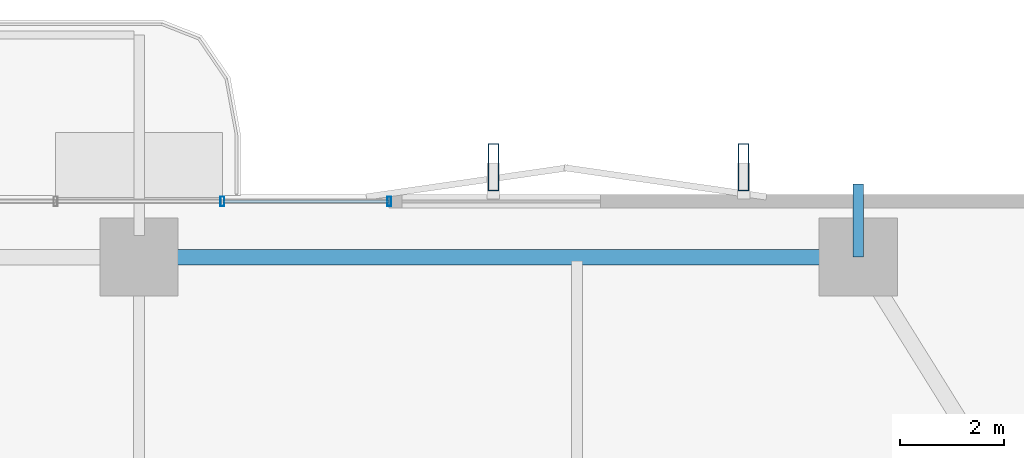
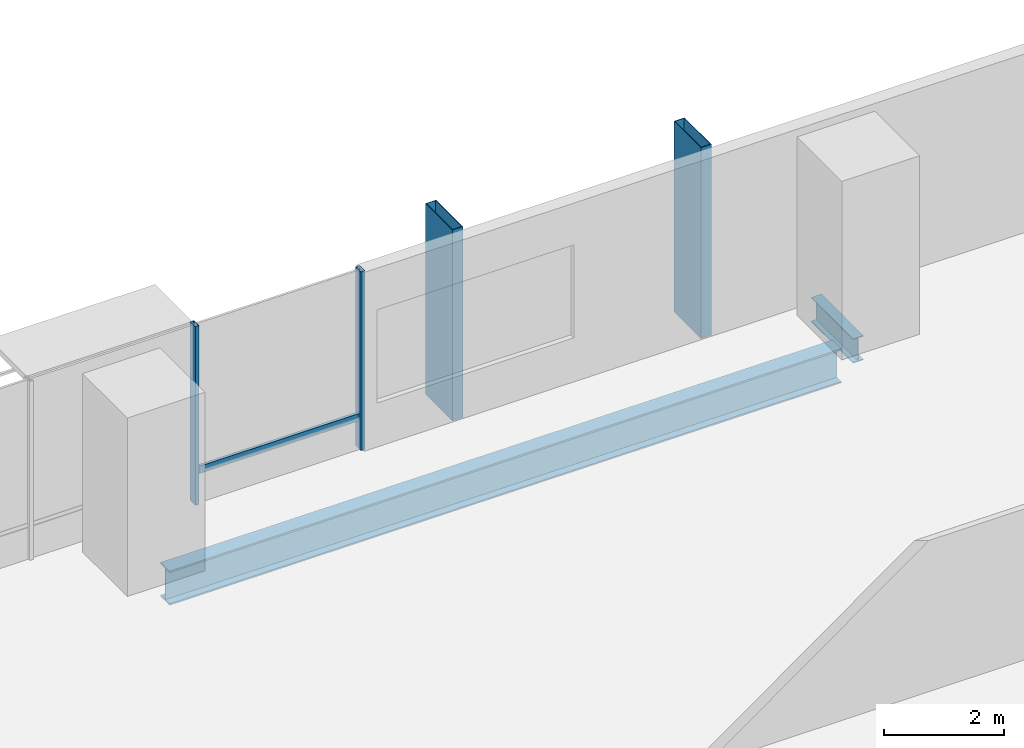
# One storey, part 15 of 24: 5 members, 2 beams, 1 element without a shape of its own.
"""IFC4 building model written with IfcOpenShell, lengths in metres."""

from ifc_helpers import new_model, si_unit, direction, frame, origin, origin_2d, place, context, subcontext, project, spatial, hollow_rectangle, i_section, extrude, material, layer, layer_set, material_profile, profile_set, type_object, element, aggregate, save


model = new_model("IFC4")

# Units and contexts
model_context = context("Model", 3, precision=1e-05, world=origin(), true_north=direction((0.0, 1.0)))
body_context = subcontext(model_context, "Body", "Model", "MODEL_VIEW")
ifc_project = project(units=[si_unit("LENGTHUNIT", "METRE"), si_unit("AREAUNIT", "SQUARE_METRE"), si_unit("VOLUMEUNIT", "CUBIC_METRE"), si_unit("PLANEANGLEUNIT", "RADIAN"), si_unit("MASSUNIT", "GRAM", prefix="KILO")], contexts=[model_context])

# Site, building, storey
site_placement = place(None, origin())
site = spatial("IfcSite", under=ifc_project, at=site_placement, CompositionType="ELEMENT")
building_placement = place(site_placement, origin())
building = spatial("IfcBuilding", under=site, at=building_placement, Name="Belovzor Exchange Tower", CompositionType="ELEMENT")
storey_placement = place(building_placement, frame((0.0, 0.0, 92.39990234375)))
storey = spatial("IfcBuildingStorey", under=building, at=storey_placement, Name="L22", CompositionType="ELEMENT", Elevation=92.39990234375)

# Beam
ifc_material_1 = material(Name="Steel S355", Category="steel")
ifc_material_profile_1 = material_profile(ifc_material_1, i_section(OverallWidth=0.199951171875, OverallDepth=0.5, WebThickness=0.01025390625, FlangeThickness=0.01611328125, at=origin_2d()))
ifc_profile_set_1 = profile_set([ifc_material_profile_1], Name="Steel S355")
beam_type_1 = type_object("IfcBeamType", Name="Planted Balcony Cantilever Beam IPE 500", PredefinedType="BEAM", material=ifc_profile_set_1)
beam_1_placement = place(storey_placement, frame((42.60009765625, 55.5, -0.5), z_axis=(0.0, 1.0, 0.0), x_axis=(-1.0, 0.0, 0.0)))
element("IfcBeam", 1, at=beam_1_placement, inside=storey, type_object=beam_type_1, Name="BC-500 Planted Balcony Cantilever Beam IPE 500", PredefinedType="BEAM", context=body_context, shape_type="SweptSolid", body=[
    extrude(i_section(OverallWidth=0.199951171875, OverallDepth=0.5, WebThickness=0.01025390625, FlangeThickness=0.01611328125, at=origin_2d()), origin(), (0.0, 0.0, 1.0), 1.39990234375),
])

# Members
ifc_material_2 = material(Name="Extruded Architectural Terracotta on Steel S355 Carrier", Category="masonry")
ifc_material_profile_2 = material_profile(ifc_material_2, hollow_rectangle(XDim=0.199951171875, YDim=0.89990234375, WallThickness=0.011962890625, at=origin_2d()))
ifc_profile_set_2 = profile_set([ifc_material_profile_2], Name="Extruded Architectural Terracotta on Steel S355 Carrier")
member_type_1 = type_object("IfcMemberType", Name="Sweeping Terracotta Baguette Fin Assembly 1250", PredefinedType="USERDEFINED", material=ifc_profile_set_2)
for number, where, z_axis, x_axis, name in (
    (2, (35.60009765625, 57.22509765625, -0.25), (0.0, 0.0, 1.0), (1.0, 0.0, 0.0), "FIN-TC125 Terracotta Facade Fin L22 N3"),
    (3, (40.39990234375, 57.22509765625, -0.25), (0.0, 0.0, 1.0), (1.0, 0.0, 0.0), "FIN-TC125 Terracotta Facade Fin L22 N4"),
):
    element("IfcMember", number, at=place(storey_placement, frame(where, z_axis=z_axis, x_axis=x_axis)), inside=storey, type_object=member_type_1, Name=name, ObjectType="FIN", PredefinedType="USERDEFINED", context=body_context, shape_type="SweptSolid", body=[
        extrude(hollow_rectangle(XDim=0.199951171875, YDim=0.89990234375, WallThickness=0.011962890625, at=origin_2d()), origin(), (0.0, 0.0, 1.0), 3.900146484375),
    ])

# Curtain wall, members
ifc_material_3 = material(Name="Anodised Aluminium Framing", Category="aluminium")
ifc_layer = layer(ifc_material_3, 0.179931640625)
ifc_layer_set = layer_set([ifc_layer], Name="Anodised Aluminium Framing")
curtain_wall_type = type_object("IfcCurtainWallType", Name="Recessed Loggia Low-Iron Triple-Glazed Curtain Wall", PredefinedType="NOTDEFINED", material=ifc_layer_set)
curtain_wall_placement = place(storey_placement, origin())
curtain_wall = element("IfcCurtainWall", 4, at=curtain_wall_placement, inside=storey, type_object=curtain_wall_type, Name="CW3 Recessed Loggia Low-Iron Triple-Glazed Curtain Wall L22", PredefinedType="NOTDEFINED")
ifc_material_4 = material(Name="Steel S355", Category="steel")
ifc_material_profile_3 = material_profile(ifc_material_4, hollow_rectangle(XDim=0.074951171875, YDim=0.179931640625, WallThickness=0.0048828125, at=origin_2d()))
ifc_profile_set_3 = profile_set([ifc_material_profile_3], Name="Steel S355")
member_type_2 = type_object("IfcMemberType", Name="Thermally Broken Curtain Wall Mullion 180x75", PredefinedType="MULLION", material=ifc_profile_set_3)
member_1_placement = place(storey_placement, frame((30.39990234375, 56.570068359375, 0.0), z_axis=(0.0, 0.0, 1.0), x_axis=(1.0, 0.0, 0.0)))
member_1 = element("IfcMember", 5, at=member_1_placement, type_object=member_type_2, Name="CW-M180 Curtain Wall Mullion 3", PredefinedType="MULLION", context=body_context, shape_type="SweptSolid", body=[
    extrude(hollow_rectangle(XDim=0.074951171875, YDim=0.179931640625, WallThickness=0.0048828125, at=origin_2d()), origin(), (0.0, 0.0, 1.0), 3.650146484375),
])
member_2_placement = place(storey_placement, frame((33.60009765625, 56.570068359375, 0.0), z_axis=(0.0, 0.0, 1.0), x_axis=(1.0, 0.0, 0.0)))
member_2 = element("IfcMember", 6, at=member_2_placement, type_object=member_type_2, Name="CW-M180 Curtain Wall Mullion 4", PredefinedType="MULLION", context=body_context, shape_type="SweptSolid", body=[
    extrude(hollow_rectangle(XDim=0.074951171875, YDim=0.179931640625, WallThickness=0.0048828125, at=origin_2d()), origin(), (0.0, 0.0, 1.0), 3.650146484375),
])
ifc_material_5 = material(Name="Steel S355", Category="steel")
ifc_material_profile_4 = material_profile(ifc_material_5, hollow_rectangle(XDim=0.06005859375, YDim=0.14990234375, WallThickness=0.00390625, at=origin_2d()))
ifc_profile_set_4 = profile_set([ifc_material_profile_4], Name="Steel S355")
member_type_3 = type_object("IfcMemberType", Name="Thermally Broken Curtain Wall Transom 150x60", PredefinedType="USERDEFINED", material=ifc_profile_set_4)
member_3_placement = place(storey_placement, frame((30.407958984375, 56.570068359375, 0.650146484375), z_axis=(1.0, 0.0, 0.0), x_axis=(0.0, 1.0, 0.0)))
member_3 = element("IfcMember", 7, at=member_3_placement, type_object=member_type_3, Name="CW-T150 Curtain Wall Transom 3", ObjectType="TRANSOM", PredefinedType="USERDEFINED", context=body_context, shape_type="SweptSolid", body=[
    extrude(hollow_rectangle(XDim=0.06005859375, YDim=0.14990234375, WallThickness=0.00390625, at=origin_2d()), origin(), (0.0, 0.0, 1.0), 3.18408203125),
])
aggregate(curtain_wall, [member_1, member_2, member_3])

# Beam
ifc_material_6 = material(Name="Steel S355", Category="steel")
ifc_material_profile_5 = material_profile(ifc_material_6, i_section(OverallWidth=0.300048828125, OverallDepth=0.699951171875, WebThickness=0.01708984375, FlangeThickness=0.031982421875, at=origin_2d()))
ifc_profile_set_5 = profile_set([ifc_material_profile_5], Name="Steel S355")
beam_type_2 = type_object("IfcBeamType", Name="Zone 1 Primary Perimeter Girder HEB 700", PredefinedType="BEAM", material=ifc_profile_set_5)
beam_2_placement = place(storey_placement, frame((42.18798828125, 55.5, -0.599853515625), z_axis=(-1.0, 0.0, 0.0), x_axis=(0.0, -1.0, 0.0)))
element("IfcBeam", 8, at=beam_2_placement, inside=storey, type_object=beam_type_2, Name="FG-Z1 Zone 1 Primary Perimeter Girder HEB 700", PredefinedType="BEAM", context=body_context, shape_type="SweptSolid", body=[
    extrude(i_section(OverallWidth=0.300048828125, OverallDepth=0.699951171875, WebThickness=0.01708984375, FlangeThickness=0.031982421875, at=origin_2d()), origin(), (0.0, 0.0, 1.0), 12.97509765625),
])

save(model, "model.ifc")
